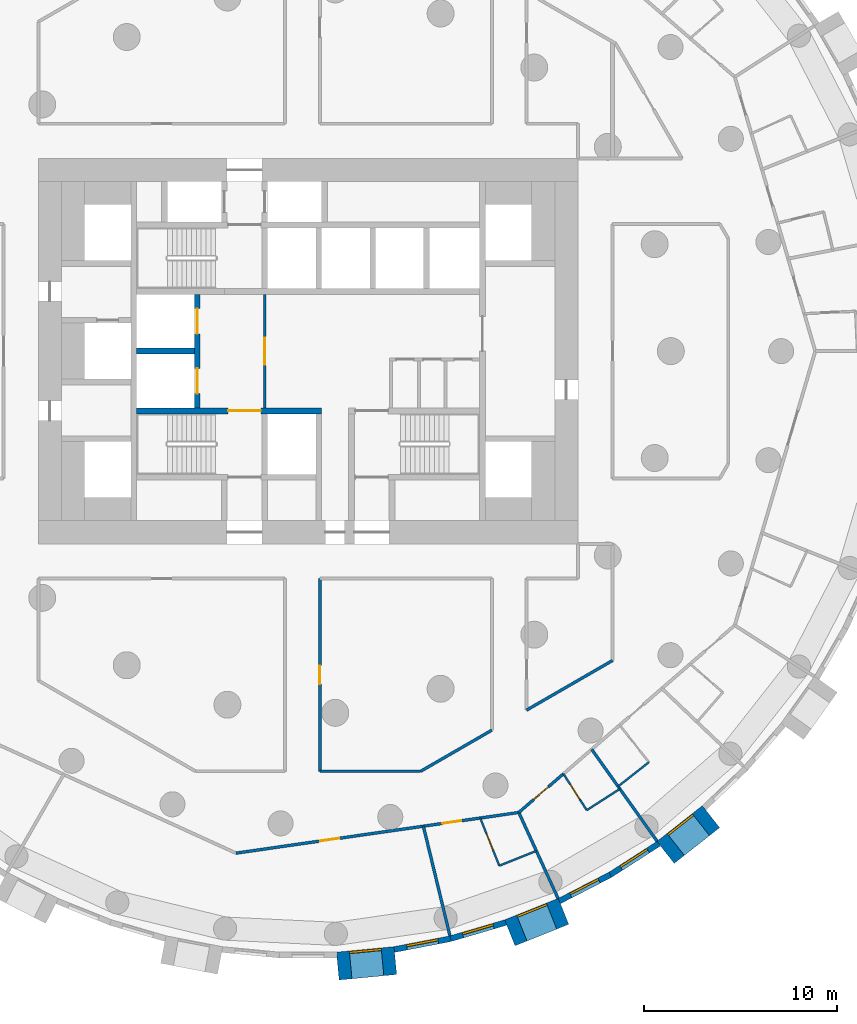
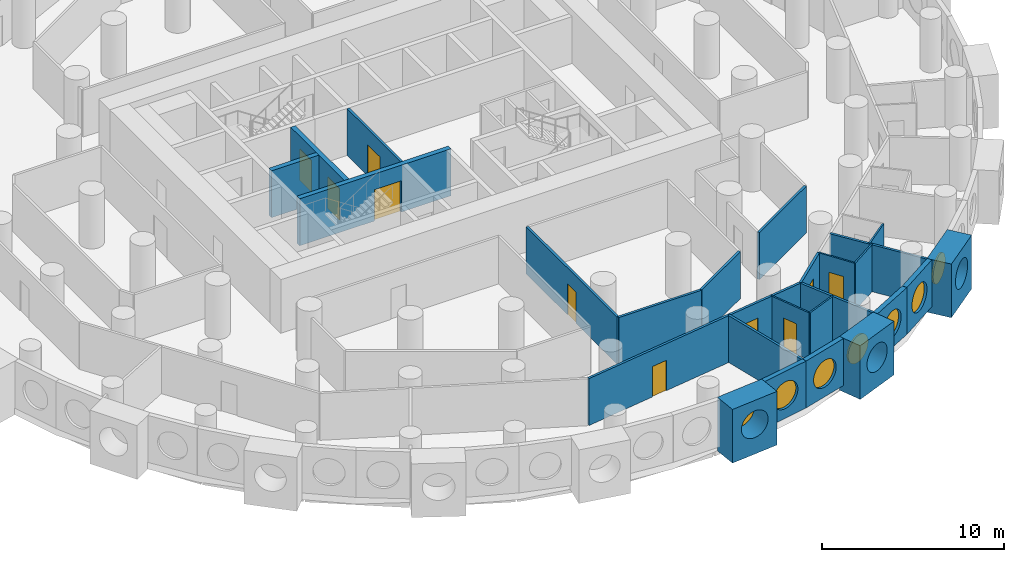
# One storey, part 4 of 12: 25 walls, 10 doors, 7 windows, 17 openings.
"""IFC4 building model written with IfcOpenShell, lengths in metres."""

from ifc_helpers import new_model, si_unit, direction, frame, frame_2d, origin, origin_2d, place, context, subcontext, project, spatial, rectangle, circle, extrude, material, layer, layer_set, type_object, element, fill, save


model = new_model("IFC4")

# Units and contexts
model_context = context("Model", 3, precision=1e-05, world=origin(), true_north=direction((0.0, 1.0)))
body_context = subcontext(model_context, "Body", "Model", "MODEL_VIEW")
ifc_project = project(units=[si_unit("LENGTHUNIT", "METRE"), si_unit("AREAUNIT", "SQUARE_METRE"), si_unit("VOLUMEUNIT", "CUBIC_METRE"), si_unit("PLANEANGLEUNIT", "RADIAN"), si_unit("MASSUNIT", "GRAM", prefix="KILO")], contexts=[model_context])

# Site, building, storey
site_placement = place(None, origin())
site = spatial("IfcSite", under=ifc_project, at=site_placement, CompositionType="ELEMENT")
building_placement = place(site_placement, origin())
building = spatial("IfcBuilding", under=site, at=building_placement, Name="Tracery Tower", CompositionType="ELEMENT")
storey_placement = place(building_placement, frame((0.0, 0.0, 75.0)))
storey = spatial("IfcBuildingStorey", under=building, at=storey_placement, Name="L18", CompositionType="ELEMENT", Elevation=75.0)

# Wall, opening, door
ifc_material_1 = material(Name="Plasterboard on steel studs", Category="steel")
ifc_layer_1 = layer(ifc_material_1, 0.14990234375)
ifc_layer_set_1 = layer_set([ifc_layer_1], Name="Core lobby partition 150")
wall_type_1 = type_object("IfcWallType", Name="Core lobby partition 150", PredefinedType="SOLIDWALL", material=ifc_layer_set_1)
wall_1_placement = place(storey_placement, frame((-2.25, -2.949951171875, 0.0), z_axis=(0.0, 0.0, 1.0), x_axis=(0.0, 1.0, 0.0)))
wall_1 = element("IfcWall", 1, at=wall_1_placement, inside=storey, type_object=wall_type_1, Name="L18 FF lobby E", PredefinedType="SOLIDWALL", context=body_context, shape_type="SweptSolid", body=[
    extrude(rectangle(XDim=5.89990234375, YDim=0.14990234375, at=frame_2d((2.949951171875, 0.0))), origin(), (0.0, 0.0, 1.0), 3.14990234375),
])
opening_1_placement = place(wall_1_placement, frame((2.25, 0.0, 0.0)))
opening_1 = element("IfcOpeningElement", 2, at=opening_1_placement, cuts=wall_1, Name="Opening KD8", PredefinedType="OPENING", context=body_context, shape_type="SweptSolid", body=[
    extrude(rectangle(XDim=1.39990234375, YDim=2.10009765625, at=frame_2d((0.699951171875, 1.050048828125))), frame((0.0, 0.074951171875, 0.0), z_axis=(0.0, -1.0, 0.0), x_axis=(1.0, 0.0, 0.0)), (0.0, 0.0, 1.0), 0.14990234375),
])
ifc_material_2 = material(Name="Steel fire door", Category="steel")
door_type_1 = type_object("IfcDoorType", Name="Core lobby door 1400 double", OperationType="NOTDEFINED", PredefinedType="DOOR", material=ifc_material_2)
door_1_placement = place(opening_1_placement, origin())
door_1 = element("IfcDoor", 3, at=door_1_placement, inside=storey, type_object=door_type_1, Name="Fire-fighting lobby door", OperationType="DOUBLE_DOOR_SINGLE_SWING", OverallHeight=2.10009765625, OverallWidth=1.39990234375, PredefinedType="DOOR", context=body_context, shape_type="SweptSolid", body=[
    extrude(rectangle(XDim=1.39990234375, YDim=2.10009765625, at=frame_2d((0.699951171875, 1.050048828125))), frame((0.0, 0.02490234375, 0.0), z_axis=(0.0, -1.0, 0.0), x_axis=(1.0, 0.0, 0.0)), (0.0, 0.0, 1.0), 0.050048828125),
])
fill(opening_1, door_1)

# Wall, opening, window
ifc_material_3 = material(Name="Precast concrete C50/60", Category="concrete")
ifc_layer_2 = layer(ifc_material_3, 1.449951171875)
ifc_layer_set_2 = layer_set([ifc_layer_2], Name="Deep-set bay unit 3000 x 3600, slab edge 450")
wall_type_2 = type_object("IfcWallType", Name="Deep-set bay unit 3000 x 3600, slab edge 450", PredefinedType="ELEMENTEDWALL", material=ifc_layer_set_2)
wall_2_placement = place(storey_placement, frame((1.540283203125, -31.911865234375, -0.449951171875), z_axis=(0.0, 0.0, 1.0), x_axis=(0.995472768558, 0.09504718333, 0.0)))
wall_2 = element("IfcWall", 4, at=wall_2_placement, inside=storey, type_object=wall_type_2, Name="Deep-set bay unit 51 at L18", PredefinedType="ELEMENTEDWALL", context=body_context, shape_type="SweptSolid", body=[
    extrude(rectangle(XDim=3.000244140625, YDim=1.449951171875, at=frame_2d((1.5, 0.0))), origin(), (0.0, 0.0, 1.0), 3.599853515625),
])
opening_2_placement = place(wall_2_placement, frame((1.5, 0.0, 2.0)))
opening_2 = element("IfcOpeningElement", 5, at=opening_2_placement, cuts=wall_2, Name="Opening WN1", PredefinedType="OPENING", context=body_context, shape_type="SweptSolid", body=[
    extrude(circle(Radius=0.9000244140625, at=origin_2d()), frame((0.0, 0.73486328125, 0.0), z_axis=(0.0, -1.0, 0.0), x_axis=(1.0, 0.0, 0.0)), (0.0, 0.0, 1.0), 1.469970703125),
])
ifc_material_4 = material(Name="Aluminium frame with tinted double glazing", Category="aluminium")
window_type = type_object("IfcWindowType", Name="Round window 1800", PartitioningType="SINGLE_PANEL", PredefinedType="WINDOW", material=ifc_material_4)
window_1_placement = place(opening_2_placement, origin())
window_1 = element("IfcWindow", 6, at=window_1_placement, inside=storey, type_object=window_type, Name="Round window 51 at L18", OverallHeight=1.800048828125, OverallWidth=1.800048828125, PartitioningType="SINGLE_PANEL", PredefinedType="WINDOW", context=body_context, shape_type="SweptSolid", body=[
    extrude(circle(Radius=0.9000244140625, at=origin_2d()), frame((0.0, 0.69482421875, 0.0), z_axis=(0.0, -1.0, 0.0), x_axis=(1.0, 0.0, 0.0)), (0.0, 0.0, 1.0), 0.10009765625),
])
fill(opening_2, window_1)

wall_3_placement = place(storey_placement, frame((10.46875, -30.185302734375, -0.449951171875), z_axis=(0.0, 0.0, 1.0), x_axis=(0.928358776184, 0.371685327504, 0.0)))
wall_3 = element("IfcWall", 7, at=wall_3_placement, inside=storey, type_object=wall_type_2, Name="Deep-set bay unit 54 at L18", PredefinedType="ELEMENTEDWALL", context=body_context, shape_type="SweptSolid", body=[
    extrude(rectangle(XDim=2.999755859375, YDim=1.449951171875, at=frame_2d((1.5, 0.0))), origin(), (0.0, 0.0, 1.0), 3.599853515625),
])
opening_3_placement = place(wall_3_placement, frame((1.5, 0.0, 2.0)))
opening_3 = element("IfcOpeningElement", 8, at=opening_3_placement, cuts=wall_3, Name="Opening WN1", PredefinedType="OPENING", context=body_context, shape_type="SweptSolid", body=[
    extrude(circle(Radius=0.9000244140625, at=origin_2d()), frame((0.0, 0.73486328125, 0.0), z_axis=(0.0, -1.0, 0.0), x_axis=(1.0, 0.0, 0.0)), (0.0, 0.0, 1.0), 1.469970703125),
])
window_2_placement = place(opening_3_placement, origin())
window_2 = element("IfcWindow", 9, at=window_2_placement, inside=storey, type_object=window_type, Name="Round window 54 at L18", OverallHeight=1.800048828125, OverallWidth=1.800048828125, PartitioningType="SINGLE_PANEL", PredefinedType="WINDOW", context=body_context, shape_type="SweptSolid", body=[
    extrude(circle(Radius=0.9000244140625, at=origin_2d()), frame((0.0, 0.69482421875, 0.0), z_axis=(0.0, -1.0, 0.0), x_axis=(1.0, 0.0, 0.0)), (0.0, 0.0, 1.0), 0.10009765625),
])
fill(opening_3, window_2)

wall_4_placement = place(storey_placement, frame((18.548828125, -26.01318359375, -0.449951171875), z_axis=(0.0, 0.0, 1.0), x_axis=(0.786049992888, 0.618162930529, 0.0)))
wall_4 = element("IfcWall", 10, at=wall_4_placement, inside=storey, type_object=wall_type_2, Name="Deep-set bay unit 57 at L18", PredefinedType="ELEMENTEDWALL", context=body_context, shape_type="SweptSolid", body=[
    extrude(rectangle(XDim=3.0, YDim=1.449951171875, at=frame_2d((1.5, 0.0))), origin(), (0.0, 0.0, 1.0), 3.599853515625),
])
opening_4_placement = place(wall_4_placement, frame((1.5, 0.0, 2.0)))
opening_4 = element("IfcOpeningElement", 11, at=opening_4_placement, cuts=wall_4, Name="Opening WN1", PredefinedType="OPENING", context=body_context, shape_type="SweptSolid", body=[
    extrude(circle(Radius=0.9000244140625, at=origin_2d()), frame((0.0, 0.73486328125, 0.0), z_axis=(0.0, -1.0, 0.0), x_axis=(1.0, 0.0, 0.0)), (0.0, 0.0, 1.0), 1.469970703125),
])
window_3_placement = place(opening_4_placement, origin())
window_3 = element("IfcWindow", 12, at=window_3_placement, inside=storey, type_object=window_type, Name="Round window 57 at L18", OverallHeight=1.800048828125, OverallWidth=1.800048828125, PartitioningType="SINGLE_PANEL", PredefinedType="WINDOW", context=body_context, shape_type="SweptSolid", body=[
    extrude(circle(Radius=0.9000244140625, at=origin_2d()), frame((0.0, 0.69482421875, 0.0), z_axis=(0.0, -1.0, 0.0), x_axis=(1.0, 0.0, 0.0)), (0.0, 0.0, 1.0), 0.10009765625),
])
fill(opening_4, window_3)

ifc_material_5 = material(Name="Precast concrete C50/60", Category="concrete")
ifc_layer_3 = layer(ifc_material_5, 0.300048828125)
ifc_layer_set_3 = layer_set([ifc_layer_3], Name="Facade panel 3000 x 3150")
wall_type_3 = type_object("IfcWallType", Name="Facade panel 3000 x 3150", PredefinedType="SOLIDWALL", material=ifc_layer_set_3)
wall_5_placement = place(storey_placement, frame((4.470947265625, -31.053955078125, 0.0), z_axis=(0.0, 0.0, 1.0), x_axis=(0.981924535406, 0.189272836848, 0.0)))
wall_5 = element("IfcWall", 13, at=wall_5_placement, inside=storey, type_object=wall_type_3, Name="Facade panel 52 at L18", PredefinedType="SOLIDWALL", context=body_context, shape_type="SweptSolid", body=[
    extrude(rectangle(XDim=2.979736328125, YDim=0.300048828125, at=frame_2d((1.48974609375, 0.0))), origin(), (0.0, 0.0, 1.0), 3.14990234375),
])
opening_5_placement = place(wall_5_placement, frame((1.48974609375, 0.0, 1.5498046875)))
opening_5 = element("IfcOpeningElement", 14, at=opening_5_placement, cuts=wall_5, Name="Opening WN1", PredefinedType="OPENING", context=body_context, shape_type="SweptSolid", body=[
    extrude(circle(Radius=0.9000244140625, at=origin_2d()), frame((0.0, 0.159912109375, 0.0), z_axis=(0.0, -1.0, 0.0), x_axis=(1.0, 0.0, 0.0)), (0.0, 0.0, 1.0), 0.320068359375),
])
window_4_placement = place(opening_5_placement, origin())
window_4 = element("IfcWindow", 15, at=window_4_placement, inside=storey, type_object=window_type, Name="Round window 52 at L18", OverallHeight=1.800048828125, OverallWidth=1.800048828125, PartitioningType="SINGLE_PANEL", PredefinedType="WINDOW", context=body_context, shape_type="SweptSolid", body=[
    extrude(circle(Radius=0.9000244140625, at=origin_2d()), frame((0.0, 0.1201171875, 0.0), z_axis=(0.0, -1.0, 0.0), x_axis=(1.0, 0.0, 0.0)), (0.0, 0.0, 1.0), 0.10009765625),
])
fill(opening_5, window_4)

wall_6_placement = place(storey_placement, frame((7.396728515625, -30.489990234375, 0.0), z_axis=(0.0, 0.0, 1.0), x_axis=(0.959507586834, 0.28168278401, 0.0)))
wall_6 = element("IfcWall", 16, at=wall_6_placement, inside=storey, type_object=wall_type_3, Name="Facade panel 53 at L18", PredefinedType="SOLIDWALL", context=body_context, shape_type="SweptSolid", body=[
    extrude(rectangle(XDim=2.979736328125, YDim=0.300048828125, at=frame_2d((1.48974609375, 0.0))), origin(), (0.0, 0.0, 1.0), 3.14990234375),
])
opening_6_placement = place(wall_6_placement, frame((1.48974609375, 0.0, 1.5498046875)))
opening_6 = element("IfcOpeningElement", 17, at=opening_6_placement, cuts=wall_6, Name="Opening WN1", PredefinedType="OPENING", context=body_context, shape_type="SweptSolid", body=[
    extrude(circle(Radius=0.9000244140625, at=origin_2d()), frame((0.0, 0.159912109375, 0.0), z_axis=(0.0, -1.0, 0.0), x_axis=(1.0, 0.0, 0.0)), (0.0, 0.0, 1.0), 0.320068359375),
])
window_5_placement = place(opening_6_placement, origin())
window_5 = element("IfcWindow", 18, at=window_5_placement, inside=storey, type_object=window_type, Name="Round window 53 at L18", OverallHeight=1.800048828125, OverallWidth=1.800048828125, PartitioningType="SINGLE_PANEL", PredefinedType="WINDOW", context=body_context, shape_type="SweptSolid", body=[
    extrude(circle(Radius=0.9000244140625, at=origin_2d()), frame((0.0, 0.1201171875, 0.0), z_axis=(0.0, -1.0, 0.0), x_axis=(1.0, 0.0, 0.0)), (0.0, 0.0, 1.0), 0.10009765625),
])
fill(opening_6, window_5)

wall_7_placement = place(storey_placement, frame((13.038818359375, -28.536376953125, 0.0), z_axis=(0.0, 0.0, 1.0), x_axis=(0.888853225096, 0.4581920386, 0.0)))
wall_7 = element("IfcWall", 19, at=wall_7_placement, inside=storey, type_object=wall_type_3, Name="Facade panel 55 at L18", PredefinedType="SOLIDWALL", context=body_context, shape_type="SweptSolid", body=[
    extrude(rectangle(XDim=2.9794921875, YDim=0.300048828125, at=frame_2d((1.48974609375, 0.0))), origin(), (0.0, 0.0, 1.0), 3.14990234375),
])
opening_7_placement = place(wall_7_placement, frame((1.48974609375, 0.0, 1.5498046875)))
opening_7 = element("IfcOpeningElement", 20, at=opening_7_placement, cuts=wall_7, Name="Opening WN1", PredefinedType="OPENING", context=body_context, shape_type="SweptSolid", body=[
    extrude(circle(Radius=0.9000244140625, at=origin_2d()), frame((0.0, 0.159912109375, 0.0), z_axis=(0.0, -1.0, 0.0), x_axis=(1.0, 0.0, 0.0)), (0.0, 0.0, 1.0), 0.320068359375),
])
window_6_placement = place(opening_7_placement, origin())
window_6 = element("IfcWindow", 21, at=window_6_placement, inside=storey, type_object=window_type, Name="Round window 55 at L18", OverallHeight=1.800048828125, OverallWidth=1.800048828125, PartitioningType="SINGLE_PANEL", PredefinedType="WINDOW", context=body_context, shape_type="SweptSolid", body=[
    extrude(circle(Radius=0.9000244140625, at=origin_2d()), frame((0.0, 0.1201171875, 0.0), z_axis=(0.0, -1.0, 0.0), x_axis=(1.0, 0.0, 0.0)), (0.0, 0.0, 1.0), 0.10009765625),
])
fill(opening_7, window_6)

wall_8_placement = place(storey_placement, frame((15.687255859375, -27.171142578125, 0.0), z_axis=(0.0, 0.0, 1.0), x_axis=(0.84122372879, 0.540687190639, 0.0)))
wall_8 = element("IfcWall", 22, at=wall_8_placement, inside=storey, type_object=wall_type_3, Name="Facade panel 56 at L18", PredefinedType="SOLIDWALL", context=body_context, shape_type="SweptSolid", body=[
    extrude(rectangle(XDim=2.979736328125, YDim=0.300048828125, at=frame_2d((1.48974609375, 0.0))), origin(), (0.0, 0.0, 1.0), 3.14990234375),
])
opening_8_placement = place(wall_8_placement, frame((1.48974609375, 0.0, 1.5498046875)))
opening_8 = element("IfcOpeningElement", 23, at=opening_8_placement, cuts=wall_8, Name="Opening WN1", PredefinedType="OPENING", context=body_context, shape_type="SweptSolid", body=[
    extrude(circle(Radius=0.9000244140625, at=origin_2d()), frame((0.0, 0.159912109375, 0.0), z_axis=(0.0, -1.0, 0.0), x_axis=(1.0, 0.0, 0.0)), (0.0, 0.0, 1.0), 0.320068359375),
])
window_7_placement = place(opening_8_placement, origin())
window_7 = element("IfcWindow", 24, at=window_7_placement, inside=storey, type_object=window_type, Name="Round window 56 at L18", OverallHeight=1.800048828125, OverallWidth=1.800048828125, PartitioningType="SINGLE_PANEL", PredefinedType="WINDOW", context=body_context, shape_type="SweptSolid", body=[
    extrude(circle(Radius=0.9000244140625, at=origin_2d()), frame((0.0, 0.1201171875, 0.0), z_axis=(0.0, -1.0, 0.0), x_axis=(1.0, 0.0, 0.0)), (0.0, 0.0, 1.0), 0.10009765625),
])
fill(opening_8, window_7)

# Wall, opening, door
ifc_material_6 = material(Name="Plasterboard on steel studs", Category="steel")
ifc_layer_4 = layer(ifc_material_6, 0.10009765625)
ifc_layer_set_4 = layer_set([ifc_layer_4], Name="Partition 100 wet wall")
wall_type_4 = type_object("IfcWallType", Name="Partition 100 wet wall", PredefinedType="PARTITIONING", material=ifc_layer_set_4)
wall_9_placement = place(storey_placement, frame((8.929931640625, -24.22802734375, 0.0), z_axis=(0.0, 0.0, 1.0), x_axis=(0.371564281805, -0.928407229876, 0.0)))
wall_9 = element("IfcWall", 25, at=wall_9_placement, inside=storey, type_object=wall_type_4, Name="Wet wall RA5-087", PredefinedType="PARTITIONING", context=body_context, shape_type="SweptSolid", body=[
    extrude(rectangle(XDim=2.6669921875, YDim=0.10009765625, at=frame_2d((1.33349609375, 0.0))), origin(), (0.0, 0.0, 1.0), 3.14990234375),
])
opening_9_placement = place(wall_9_placement, frame((0.883056640625, 0.0, 0.0)))
opening_9 = element("IfcOpeningElement", 26, at=opening_9_placement, cuts=wall_9, Name="Opening RA5-31", PredefinedType="OPENING", context=body_context, shape_type="SweptSolid", body=[
    extrude(rectangle(XDim=0.89990234375, YDim=2.0400390625, at=frame_2d((0.449951171875, 1.02001953125))), frame((0.0, 0.050048828125, 0.0), z_axis=(0.0, -1.0, 0.0), x_axis=(1.0, 0.0, 0.0)), (0.0, 0.0, 1.0), 0.10009765625),
])
ifc_material_7 = material(Name="Timber door leaf", Category="wood")
door_type_2 = type_object("IfcDoorType", Name="Door en-suite 900", OperationType="NOTDEFINED", PredefinedType="DOOR", material=ifc_material_7)
door_2_placement = place(opening_9_placement, origin())
door_2 = element("IfcDoor", 27, at=door_2_placement, inside=storey, type_object=door_type_2, Name="En-suite door RA5-31", OperationType="SINGLE_SWING_LEFT", OverallHeight=2.0400390625, OverallWidth=0.89990234375, PredefinedType="DOOR", context=body_context, shape_type="SweptSolid", body=[
    extrude(rectangle(XDim=0.89990234375, YDim=2.0400390625, at=frame_2d((0.449951171875, 1.02001953125))), frame((0.0, 0.02490234375, 0.0), z_axis=(0.0, -1.0, 0.0), x_axis=(1.0, 0.0, 0.0)), (0.0, 0.0, 1.0), 0.050048828125),
])
fill(opening_9, door_2)

# Wall
wall_10_placement = place(storey_placement, frame((9.9208984375, -26.7041015625, 0.0), z_axis=(0.0, 0.0, 1.0), x_axis=(0.928346586681, 0.37171577179, 0.0)))
element("IfcWall", 28, at=wall_10_placement, inside=storey, type_object=wall_type_4, Name="Wet wall RA5-088", PredefinedType="PARTITIONING", context=body_context, shape_type="SweptSolid", body=[
    extrude(rectangle(XDim=2.071533203125, YDim=0.10009765625, at=frame_2d((1.03564453125, 0.0))), origin(), (0.0, 0.0, 1.0), 3.14990234375),
])

# Wall, opening, door
wall_11_placement = place(storey_placement, frame((13.248046875, -21.93505859375, 0.0), z_axis=(0.0, 0.0, 1.0), x_axis=(0.540597960994, -0.841281073464, 0.0)))
wall_11 = element("IfcWall", 29, at=wall_11_placement, inside=storey, type_object=wall_type_4, Name="Wet wall RA5-090", PredefinedType="PARTITIONING", context=body_context, shape_type="SweptSolid", body=[
    extrude(rectangle(XDim=2.24169921875, YDim=0.10009765625, at=frame_2d((1.120849609375, 0.0))), origin(), (0.0, 0.0, 1.0), 3.14990234375),
])
opening_10_placement = place(wall_11_placement, frame((0.6708984375, 0.0, 0.0)))
opening_10 = element("IfcOpeningElement", 30, at=opening_10_placement, cuts=wall_11, Name="Opening RA5-33", PredefinedType="OPENING", context=body_context, shape_type="SweptSolid", body=[
    extrude(rectangle(XDim=0.89990234375, YDim=2.0400390625, at=frame_2d((0.449951171875, 1.02001953125))), frame((0.0, 0.050048828125, 0.0), z_axis=(0.0, -1.0, 0.0), x_axis=(1.0, 0.0, 0.0)), (0.0, 0.0, 1.0), 0.10009765625),
])
door_3_placement = place(opening_10_placement, origin())
door_3 = element("IfcDoor", 31, at=door_3_placement, inside=storey, type_object=door_type_2, Name="En-suite door RA5-33", OperationType="SINGLE_SWING_RIGHT", OverallHeight=2.0400390625, OverallWidth=0.89990234375, PredefinedType="DOOR", context=body_context, shape_type="SweptSolid", body=[
    extrude(rectangle(XDim=0.89990234375, YDim=2.0400390625, at=frame_2d((0.449951171875, 1.02001953125))), frame((0.0, 0.02490234375, 0.0), z_axis=(0.0, -1.0, 0.0), x_axis=(1.0, 0.0, 0.0)), (0.0, 0.0, 1.0), 0.050048828125),
])
fill(opening_10, door_3)

# Walls
wall_12_placement = place(storey_placement, frame((14.4599609375, -23.821044921875, 0.0), z_axis=(0.0, 0.0, 1.0), x_axis=(0.841135728185, 0.540824081168, 0.0)))
element("IfcWall", 32, at=wall_12_placement, inside=storey, type_object=wall_type_4, Name="Wet wall RA5-091", PredefinedType="PARTITIONING", context=body_context, shape_type="SweptSolid", body=[
    extrude(rectangle(XDim=2.041259765625, YDim=0.10009765625, at=frame_2d((1.0205078125, 0.0))), origin(), (0.0, 0.0, 1.0), 3.14990234375),
])
wall_13_placement = place(storey_placement, frame((16.0859375, -22.589111328125, 0.0), z_axis=(0.0, 0.0, 1.0), x_axis=(0.785984904201, 0.618245687707, 0.0)))
element("IfcWall", 33, at=wall_13_placement, inside=storey, type_object=wall_type_4, Name="Wet wall RA5-093", PredefinedType="PARTITIONING", context=body_context, shape_type="SweptSolid", body=[
    extrude(rectangle(XDim=2.033203125, YDim=0.10009765625, at=frame_2d((1.0166015625, 0.0))), origin(), (0.0, 0.0, 1.0), 3.14990234375),
])
ifc_material_8 = material(Name="Plasterboard on steel studs", Category="steel")
ifc_layer_5 = layer(ifc_material_8, 0.14990234375)
ifc_layer_set_5 = layer_set([ifc_layer_5], Name="Partition 150 acoustic unit wall")
wall_type_5 = type_object("IfcWallType", Name="Partition 150 acoustic unit wall", PredefinedType="PARTITIONING", material=ifc_layer_set_5)
wall_14_placement = place(storey_placement, frame((5.98095703125, -24.652099609375, 0.0), z_axis=(0.0, 0.0, 1.0), x_axis=(0.235644168604, -0.971839403298, 0.0)))
element("IfcWall", 34, at=wall_14_placement, inside=storey, type_object=wall_type_5, Name="Unit wall RA5-086", PredefinedType="PARTITIONING", context=body_context, shape_type="SweptSolid", body=[
    extrude(rectangle(XDim=5.85693359375, YDim=0.14990234375, at=frame_2d((2.928466796875, 0.0))), origin(), (0.0, 0.0, 1.0), 3.14990234375),
])
wall_15_placement = place(storey_placement, frame((10.93359375, -23.939697265625, 0.0), z_axis=(0.0, 0.0, 1.0), x_axis=(0.415245800153, -0.909709253254, 0.0)))
element("IfcWall", 35, at=wall_15_placement, inside=storey, type_object=wall_type_5, Name="Unit wall RA5-089", PredefinedType="PARTITIONING", context=body_context, shape_type="SweptSolid", body=[
    extrude(rectangle(XDim=4.906494140625, YDim=0.14990234375, at=frame_2d((2.453125, 0.0))), origin(), (0.0, 0.0, 1.0), 3.14990234375),
])
wall_16_placement = place(storey_placement, frame((14.71533203125, -20.663818359375, 0.0), z_axis=(0.0, 0.0, 1.0), x_axis=(0.57995989616, -0.814645026282, 0.0)))
element("IfcWall", 36, at=wall_16_placement, inside=storey, type_object=wall_type_5, Name="Unit wall RA5-092", PredefinedType="PARTITIONING", context=body_context, shape_type="SweptSolid", body=[
    extrude(rectangle(XDim=5.85693359375, YDim=0.14990234375, at=frame_2d((2.928466796875, 0.0))), origin(), (0.0, 0.0, 1.0), 3.14990234375),
])

# Wall, opening, door
ifc_material_9 = material(Name="Plasterboard on steel studs", Category="steel")
ifc_layer_6 = layer(ifc_material_9, 0.14990234375)
ifc_layer_set_6 = layer_set([ifc_layer_6], Name="Partition 150 corridor wall")
wall_type_6 = type_object("IfcWallType", Name="Partition 150 corridor wall", PredefinedType="PARTITIONING", material=ifc_layer_set_6)
wall_17_placement = place(storey_placement, frame((0.60791015625, -21.802001953125, 0.0), z_axis=(0.0, 0.0, 1.0), x_axis=(0.0, 1.0, 0.0)))
wall_17 = element("IfcWall", 37, at=wall_17_placement, inside=storey, type_object=wall_type_6, Name="Corridor wall RA5-048", PredefinedType="PARTITIONING", context=body_context, shape_type="SweptSolid", body=[
    extrude(rectangle(XDim=10.001953125, YDim=0.14990234375, at=frame_2d((5.0009765625, 0.0))), origin(), (0.0, 0.0, 1.0), 3.14990234375),
])
opening_11_placement = place(wall_17_placement, frame((4.52587890625, 0.0, 0.0)))
opening_11 = element("IfcOpeningElement", 38, at=opening_11_placement, cuts=wall_17, Name="Opening RA5-05", PredefinedType="OPENING", context=body_context, shape_type="SweptSolid", body=[
    extrude(rectangle(XDim=0.949951171875, YDim=2.10009765625, at=frame_2d((0.47509765625, 1.050048828125))), frame((0.0, 0.074951171875, 0.0), z_axis=(0.0, -1.0, 0.0), x_axis=(1.0, 0.0, 0.0)), (0.0, 0.0, 1.0), 0.14990234375),
])
ifc_material_10 = material(Name="Timber door leaf", Category="wood")
door_type_3 = type_object("IfcDoorType", Name="Door store 950", OperationType="NOTDEFINED", PredefinedType="DOOR", material=ifc_material_10)
door_4_placement = place(opening_11_placement, origin())
door_4 = element("IfcDoor", 39, at=door_4_placement, inside=storey, type_object=door_type_3, Name="Store door RA5-05", OperationType="SINGLE_SWING_RIGHT", OverallHeight=2.10009765625, OverallWidth=0.949951171875, PredefinedType="DOOR", context=body_context, shape_type="SweptSolid", body=[
    extrude(rectangle(XDim=0.949951171875, YDim=2.10009765625, at=frame_2d((0.47509765625, 1.050048828125))), frame((0.0, 0.02490234375, 0.0), z_axis=(0.0, -1.0, 0.0), x_axis=(1.0, 0.0, 0.0)), (0.0, 0.0, 1.0), 0.050048828125),
])
fill(opening_11, door_4)

# Walls
wall_18_placement = place(storey_placement, frame((0.60791015625, -21.802001953125, 0.0), z_axis=(0.0, 0.0, 1.0), x_axis=(1.0, 0.0, 0.0)))
element("IfcWall", 40, at=wall_18_placement, inside=storey, type_object=wall_type_6, Name="Corridor wall RA5-049", PredefinedType="PARTITIONING", context=body_context, shape_type="SweptSolid", body=[
    extrude(rectangle(XDim=5.234130859375, YDim=0.14990234375, at=frame_2d((2.6171875, 0.0))), origin(), (0.0, 0.0, 1.0), 3.14990234375),
])
wall_19_placement = place(storey_placement, frame((5.842041015625, -21.802001953125, 0.0), z_axis=(0.0, 0.0, 1.0), x_axis=(0.865983505205, 0.500072563448, 0.0)))
element("IfcWall", 41, at=wall_19_placement, inside=storey, type_object=wall_type_6, Name="Corridor wall RA5-050", PredefinedType="PARTITIONING", context=body_context, shape_type="SweptSolid", body=[
    extrude(rectangle(XDim=4.265380859375, YDim=0.14990234375, at=frame_2d((2.1328125, 0.0))), origin(), (0.0, 0.0, 1.0), 3.14990234375),
])
wall_20_placement = place(storey_placement, frame((11.3359375, -18.6298828125, 0.0), z_axis=(0.0, 0.0, 1.0), x_axis=(0.866063337164, 0.499934291702, 0.0)))
element("IfcWall", 42, at=wall_20_placement, inside=storey, type_object=wall_type_6, Name="Corridor wall RA5-053", PredefinedType="PARTITIONING", context=body_context, shape_type="SweptSolid", body=[
    extrude(rectangle(XDim=5.154541015625, YDim=0.14990234375, at=frame_2d((2.5771484375, 0.0))), origin(), (0.0, 0.0, 1.0), 3.14990234375),
])

# Wall, openings, doors
wall_21_placement = place(storey_placement, frame((-3.74609375, -26.051025390625, 0.0), z_axis=(0.0, 0.0, 1.0), x_axis=(0.989823328782, 0.142301713967, 0.0)))
wall_21 = element("IfcWall", 43, at=wall_21_placement, inside=storey, type_object=wall_type_6, Name="Corridor wall RA5-055", PredefinedType="PARTITIONING", context=body_context, shape_type="SweptSolid", body=[
    extrude(rectangle(XDim=14.830078125, YDim=0.14990234375, at=frame_2d((7.4150390625, 0.0))), origin(), (0.0, 0.0, 1.0), 3.14990234375),
])
opening_12_placement = place(wall_21_placement, frame((4.4150390625, 0.0, 0.0)))
opening_12 = element("IfcOpeningElement", 44, at=opening_12_placement, cuts=wall_21, Name="Opening RA5-30", PredefinedType="OPENING", context=body_context, shape_type="SweptSolid", body=[
    extrude(rectangle(XDim=1.0, YDim=2.0400390625, at=frame_2d((0.5, 1.02001953125))), frame((0.0, 0.074951171875, 0.0), z_axis=(0.0, -1.0, 0.0), x_axis=(1.0, 0.0, 0.0)), (0.0, 0.0, 1.0), 0.14990234375),
])
opening_13_placement = place(wall_21_placement, frame((10.81640625, 0.0, 0.0)))
opening_13 = element("IfcOpeningElement", 45, at=opening_13_placement, cuts=wall_21, Name="Opening RA5-32", PredefinedType="OPENING", context=body_context, shape_type="SweptSolid", body=[
    extrude(rectangle(XDim=1.0, YDim=2.10009765625, at=frame_2d((0.5, 1.050048828125))), frame((0.0, 0.074951171875, 0.0), z_axis=(0.0, -1.0, 0.0), x_axis=(1.0, 0.0, 0.0)), (0.0, 0.0, 1.0), 0.14990234375),
])
ifc_material_11 = material(Name="Timber door leaf", Category="wood")
door_type_4 = type_object("IfcDoorType", Name="Door communal room 1000", OperationType="NOTDEFINED", PredefinedType="DOOR", material=ifc_material_11)
door_5_placement = place(opening_12_placement, origin())
door_5 = element("IfcDoor", 46, at=door_5_placement, inside=storey, type_object=door_type_4, Name="Communal room door RA5-30", OperationType="SINGLE_SWING_RIGHT", OverallHeight=2.0400390625, OverallWidth=1.0, PredefinedType="DOOR", context=body_context, shape_type="SweptSolid", body=[
    extrude(rectangle(XDim=1.0, YDim=2.0400390625, at=frame_2d((0.5, 1.02001953125))), frame((0.0, 0.02490234375, 0.0), z_axis=(0.0, -1.0, 0.0), x_axis=(1.0, 0.0, 0.0)), (0.0, 0.0, 1.0), 0.050048828125),
])
fill(opening_12, door_5)
ifc_material_12 = material(Name="Timber door leaf", Category="wood")
door_type_5 = type_object("IfcDoorType", Name="Door unit entrance 1000", OperationType="NOTDEFINED", PredefinedType="DOOR", material=ifc_material_12)
door_6_placement = place(opening_13_placement, origin())
door_6 = element("IfcDoor", 47, at=door_6_placement, inside=storey, type_object=door_type_5, Name="Unit entrance door RA5-32", OperationType="SINGLE_SWING_RIGHT", OverallHeight=2.10009765625, OverallWidth=1.0, PredefinedType="DOOR", context=body_context, shape_type="SweptSolid", body=[
    extrude(rectangle(XDim=1.0, YDim=2.10009765625, at=frame_2d((0.5, 1.050048828125))), frame((0.0, 0.02490234375, 0.0), z_axis=(0.0, -1.0, 0.0), x_axis=(1.0, 0.0, 0.0)), (0.0, 0.0, 1.0), 0.050048828125),
])
fill(opening_13, door_6)

# Wall, opening, door
wall_22_placement = place(storey_placement, frame((10.93310546875, -23.93994140625, 0.0), z_axis=(0.0, 0.0, 1.0), x_axis=(0.755675945931, 0.654945696025, 0.0)))
wall_22 = element("IfcWall", 48, at=wall_22_placement, inside=storey, type_object=wall_type_6, Name="Corridor wall RA5-056", PredefinedType="PARTITIONING", context=body_context, shape_type="SweptSolid", body=[
    extrude(rectangle(XDim=3.06591796875, YDim=0.14990234375, at=frame_2d((1.532958984375, 0.0))), origin(), (0.0, 0.0, 1.0), 3.14990234375),
])
opening_14_placement = place(wall_22_placement, frame((1.032958984375, 0.0, 0.0)))
opening_14 = element("IfcOpeningElement", 49, at=opening_14_placement, cuts=wall_22, Name="Opening RA5-34", PredefinedType="OPENING", context=body_context, shape_type="SweptSolid", body=[
    extrude(rectangle(XDim=1.0, YDim=2.10009765625, at=frame_2d((0.5, 1.050048828125))), frame((0.0, 0.074951171875, 0.0), z_axis=(0.0, -1.0, 0.0), x_axis=(1.0, 0.0, 0.0)), (0.0, 0.0, 1.0), 0.14990234375),
])
door_7_placement = place(opening_14_placement, origin())
door_7 = element("IfcDoor", 50, at=door_7_placement, inside=storey, type_object=door_type_5, Name="Unit entrance door RA5-34", OperationType="SINGLE_SWING_LEFT", OverallHeight=2.10009765625, OverallWidth=1.0, PredefinedType="DOOR", context=body_context, shape_type="SweptSolid", body=[
    extrude(rectangle(XDim=1.0, YDim=2.10009765625, at=frame_2d((0.5, 1.050048828125))), frame((0.0, 0.02490234375, 0.0), z_axis=(0.0, -1.0, 0.0), x_axis=(1.0, 0.0, 0.0)), (0.0, 0.0, 1.0), 0.050048828125),
])
fill(opening_14, door_7)

# Wall
ifc_material_13 = material(Name="Concrete C60/75", Category="concrete")
ifc_layer_7 = layer(ifc_material_13, 0.300048828125)
ifc_layer_set_7 = layer_set([ifc_layer_7], Name="Shaft wall 300 C60")
wall_type_7 = type_object("IfcWallType", Name="Shaft wall 300 C60", PredefinedType="SOLIDWALL", material=ifc_layer_set_7)
wall_23_placement = place(storey_placement, frame((-8.89990234375, 0.0, 0.0), z_axis=(0.0, 0.0, 1.0), x_axis=(1.0, 0.0, 0.0)))
element("IfcWall", 51, at=wall_23_placement, inside=storey, type_object=wall_type_7, Name="L18 FF split", PredefinedType="SOLIDWALL", context=body_context, shape_type="SweptSolid", body=[
    extrude(rectangle(XDim=3.0, YDim=0.300048828125, at=frame_2d((1.5, 0.0))), origin(), (0.0, 0.0, 1.0), 3.14990234375),
])

# Wall, openings, doors
wall_24_placement = place(storey_placement, frame((-5.75, -2.949951171875, 0.0), z_axis=(0.0, 0.0, 1.0), x_axis=(0.0, 1.0, 0.0)))
wall_24 = element("IfcWall", 52, at=wall_24_placement, inside=storey, type_object=wall_type_7, Name="L18 FF doors", PredefinedType="SOLIDWALL", context=body_context, shape_type="SweptSolid", body=[
    extrude(rectangle(XDim=5.89990234375, YDim=0.300048828125, at=frame_2d((2.949951171875, 0.0))), origin(), (0.0, 0.0, 1.0), 3.14990234375),
])
opening_15_placement = place(wall_24_placement, frame((0.75, 0.0, 0.0)))
opening_15 = element("IfcOpeningElement", 53, at=opening_15_placement, cuts=wall_24, Name="Opening KD54", PredefinedType="OPENING", context=body_context, shape_type="SweptSolid", body=[
    extrude(rectangle(XDim=1.300048828125, YDim=2.10009765625, at=frame_2d((0.64990234375, 1.050048828125))), frame((0.0, 0.14990234375, 0.0), z_axis=(0.0, -1.0, 0.0), x_axis=(1.0, 0.0, 0.0)), (0.0, 0.0, 1.0), 0.300048828125),
])
opening_16_placement = place(wall_24_placement, frame((3.85009765625, 0.0, 0.0)))
opening_16 = element("IfcOpeningElement", 54, at=opening_16_placement, cuts=wall_24, Name="Opening KD55", PredefinedType="OPENING", context=body_context, shape_type="SweptSolid", body=[
    extrude(rectangle(XDim=1.300048828125, YDim=2.10009765625, at=frame_2d((0.64990234375, 1.050048828125))), frame((0.0, 0.14990234375, 0.0), z_axis=(0.0, -1.0, 0.0), x_axis=(1.0, 0.0, 0.0)), (0.0, 0.0, 1.0), 0.300048828125),
])
ifc_material_14 = material(Name="Steel fire door", Category="steel")
door_type_6 = type_object("IfcDoorType", Name="Landing door FF 1300", OperationType="NOTDEFINED", PredefinedType="DOOR", material=ifc_material_14)
door_8_placement = place(opening_15_placement, origin())
door_8 = element("IfcDoor", 55, at=door_8_placement, inside=storey, type_object=door_type_6, Name="Landing door FF1", OperationType="SLIDING_TO_LEFT", OverallHeight=2.10009765625, OverallWidth=1.300048828125, PredefinedType="DOOR", context=body_context, shape_type="SweptSolid", body=[
    extrude(rectangle(XDim=1.300048828125, YDim=2.10009765625, at=frame_2d((0.64990234375, 1.050048828125))), frame((0.0, 0.02490234375, 0.0), z_axis=(0.0, -1.0, 0.0), x_axis=(1.0, 0.0, 0.0)), (0.0, 0.0, 1.0), 0.050048828125),
])
fill(opening_15, door_8)
door_9_placement = place(opening_16_placement, origin())
door_9 = element("IfcDoor", 56, at=door_9_placement, inside=storey, type_object=door_type_6, Name="Landing door FF2", OperationType="SLIDING_TO_RIGHT", OverallHeight=2.10009765625, OverallWidth=1.300048828125, PredefinedType="DOOR", context=body_context, shape_type="SweptSolid", body=[
    extrude(rectangle(XDim=1.300048828125, YDim=2.10009765625, at=frame_2d((0.64990234375, 1.050048828125))), frame((0.0, 0.02490234375, 0.0), z_axis=(0.0, -1.0, 0.0), x_axis=(1.0, 0.0, 0.0)), (0.0, 0.0, 1.0), 0.050048828125),
])
fill(opening_16, door_9)

# Wall, opening, door
ifc_material_15 = material(Name="Concrete C60/75", Category="concrete")
ifc_layer_8 = layer(ifc_material_15, 0.300048828125)
ifc_layer_set_8 = layer_set([ifc_layer_8], Name="Stair wall 300 C60")
wall_type_8 = type_object("IfcWallType", Name="Stair wall 300 C60", PredefinedType="SOLIDWALL", material=ifc_layer_set_8)
wall_25_placement = place(storey_placement, frame((-8.89990234375, -3.10009765625, 0.0), z_axis=(0.0, 0.0, 1.0), x_axis=(1.0, 0.0, 0.0)))
wall_25 = element("IfcWall", 57, at=wall_25_placement, inside=storey, type_object=wall_type_8, Name="L18 row S", PredefinedType="SOLIDWALL", context=body_context, shape_type="SweptSolid", body=[
    extrude(rectangle(XDim=9.599853515625, YDim=0.300048828125, at=frame_2d((4.7998046875, 0.0))), origin(), (0.0, 0.0, 1.0), 3.14990234375),
])
opening_17_placement = place(wall_25_placement, frame((4.75, 0.0, 0.0)))
opening_17 = element("IfcOpeningElement", 58, at=opening_17_placement, cuts=wall_25, Name="Opening KD3", PredefinedType="OPENING", context=body_context, shape_type="SweptSolid", body=[
    extrude(rectangle(XDim=1.699951171875, YDim=2.10009765625, at=frame_2d((0.85009765625, 1.050048828125))), frame((0.0, 0.14990234375, 0.0), z_axis=(0.0, -1.0, 0.0), x_axis=(1.0, 0.0, 0.0)), (0.0, 0.0, 1.0), 0.300048828125),
])
ifc_material_16 = material(Name="Steel fire door", Category="steel")
door_type_7 = type_object("IfcDoorType", Name="Core stair door 1700 double", OperationType="NOTDEFINED", PredefinedType="DOOR", material=ifc_material_16)
door_10_placement = place(opening_17_placement, origin())
door_10 = element("IfcDoor", 59, at=door_10_placement, inside=storey, type_object=door_type_7, Name="Stair door ST1", OperationType="DOUBLE_DOOR_SINGLE_SWING", OverallHeight=2.10009765625, OverallWidth=1.699951171875, PredefinedType="DOOR", context=body_context, shape_type="SweptSolid", body=[
    extrude(rectangle(XDim=1.699951171875, YDim=2.10009765625, at=frame_2d((0.85009765625, 1.050048828125))), frame((0.0, 0.02490234375, 0.0), z_axis=(0.0, -1.0, 0.0), x_axis=(1.0, 0.0, 0.0)), (0.0, 0.0, 1.0), 0.050048828125),
])
fill(opening_17, door_10)

save(model, "model.ifc")
